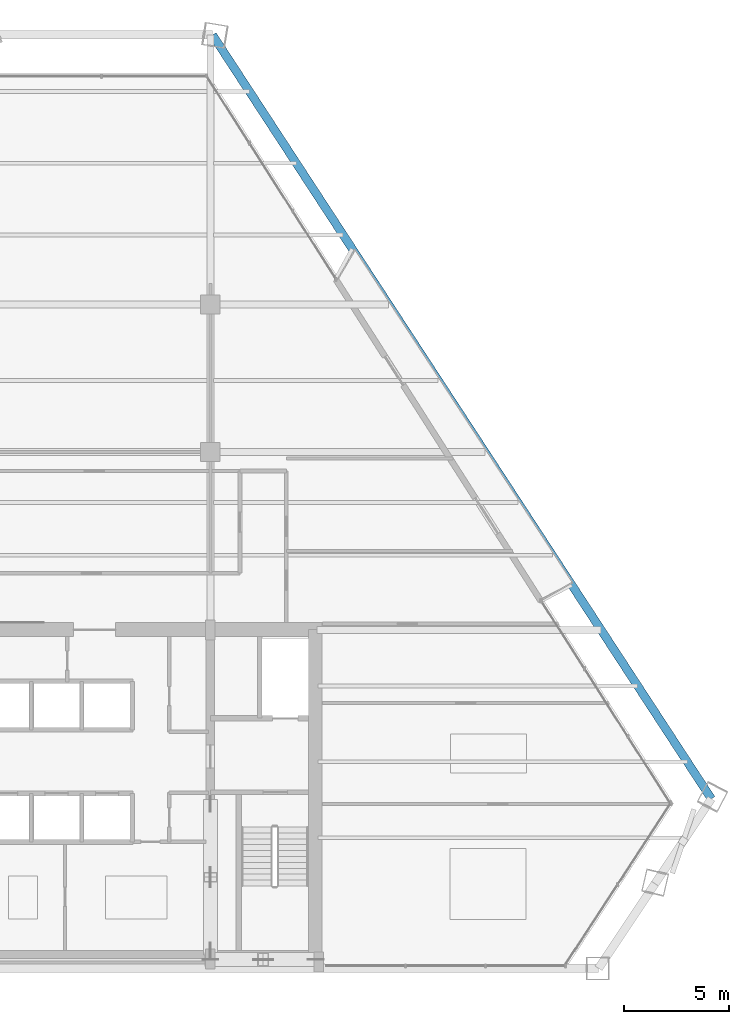
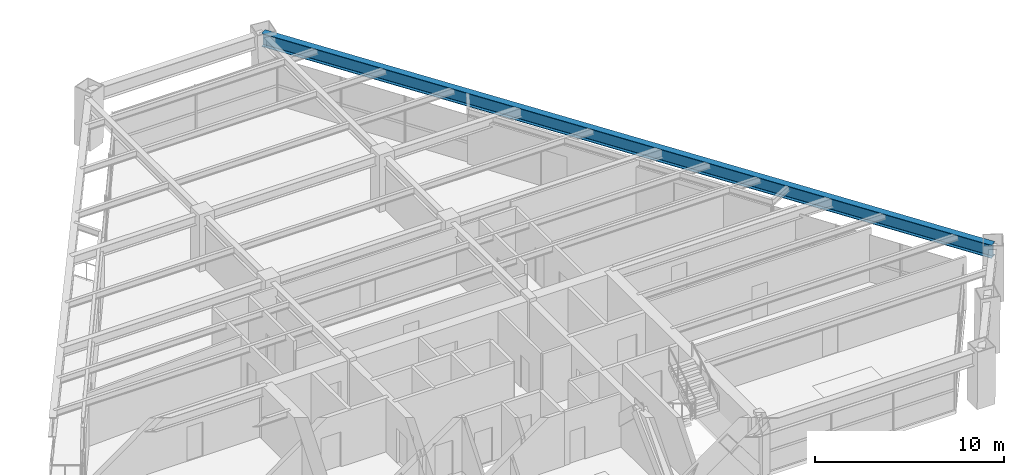
# One storey, part 7 of 15: 1 beam.
"""IFC4 building model written with IfcOpenShell, lengths in metres."""

from ifc_helpers import new_model, si_unit, direction, frame, origin, origin_2d, place, context, subcontext, project, spatial, i_section, extrude, source, transform, mapped, material, material_profile, profile_set, type_object, element, save


model = new_model("IFC4")

# Units and contexts
model_context = context("Model", 3, precision=1e-05, world=origin(), true_north=direction((0.0, 1.0)))
body_context = subcontext(model_context, "Body", "Model", "MODEL_VIEW")
ifc_project = project(units=[si_unit("LENGTHUNIT", "METRE"), si_unit("AREAUNIT", "SQUARE_METRE"), si_unit("VOLUMEUNIT", "CUBIC_METRE"), si_unit("PLANEANGLEUNIT", "RADIAN"), si_unit("MASSUNIT", "GRAM", prefix="KILO")], contexts=[model_context])

# Site, building, storey
site_placement = place(None, origin())
site = spatial("IfcSite", under=ifc_project, at=site_placement, CompositionType="ELEMENT")
building_placement = place(site_placement, origin())
building = spatial("IfcBuilding", under=site, at=building_placement, Name="Varnakhor Terracotta Tower", CompositionType="ELEMENT")
storey_placement = place(building_placement, frame((0.0, 0.0, 136.699951171875)))
storey = spatial("IfcBuildingStorey", under=building, at=storey_placement, Name="L34", CompositionType="ELEMENT", Elevation=136.699951171875)

# Beam
ifc_material = material(Name="Steel S355", Category="steel")
ifc_material_profile = material_profile(ifc_material, i_section(OverallWidth=0.39990234375, OverallDepth=0.85498046875, WebThickness=0.01806640625, FlangeThickness=0.029052734375, FilletRadius=0.01806640625, at=origin_2d()), Name="W33X201")
ifc_profile_set = profile_set([ifc_material_profile], Name="Steel S355")
beam_type = type_object("IfcBeamType", Name="BM-W33X201", PredefinedType="BEAM", material=ifc_profile_set)
shared_shape = source(origin(), body_context, "Body", "SweptSolid", [
    extrude(i_section(OverallWidth=0.39990234375, OverallDepth=0.85498046875, WebThickness=0.01806640625, FlangeThickness=0.029052734375, FilletRadius=0.01806640625, at=origin_2d()), origin(), (0.0, 0.0, 1.0), 43.28759765625),
])
beam_placement = place(storey_placement, frame((29.270751953125, 8.04541015625, 3.04248046875), z_axis=(-0.546806329561, 0.837259122346, 0.0), x_axis=(-0.837259122346, -0.546806329561, 0.0)))
element("IfcBeam", 1, at=beam_placement, inside=storey, type_object=beam_type, Name="L34 Perimeter Spandrel 4", PredefinedType="BEAM", context=body_context, shape_type="MappedRepresentation", body=[
    mapped(shared_shape, transform((0.0, 0.0, 0.0), scale=1.0)),
])

save(model, "model.ifc")
